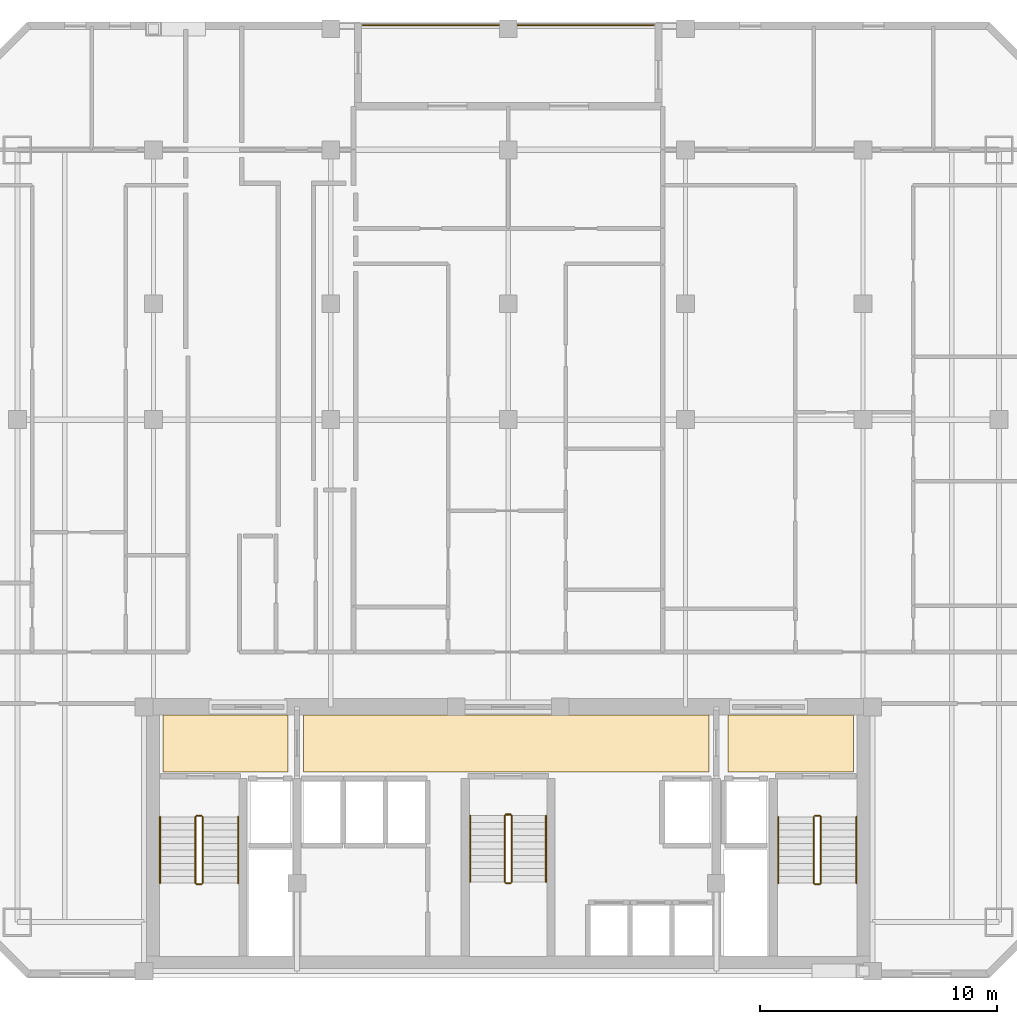
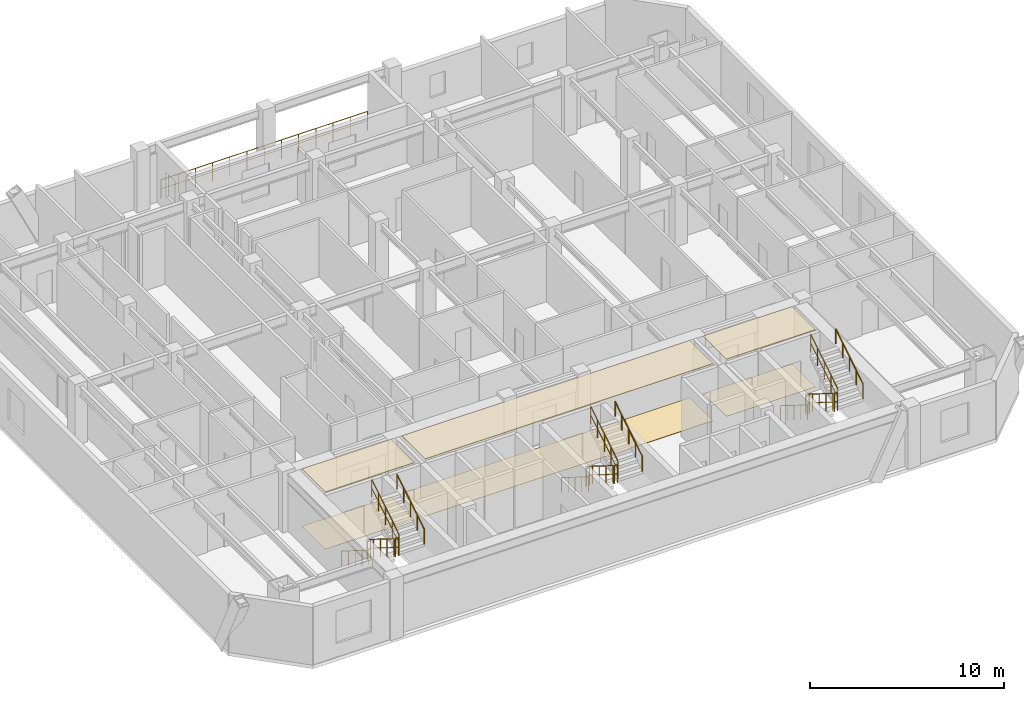
# One storey, part 8 of 8: 19 railings, 6 coverings.
"""IFC4 building model written with IfcOpenShell, lengths in metres."""

from ifc_helpers import new_model, si_unit, direction, frame, origin, origin_2d, place, context, subcontext, project, spatial, polyline, circle, outline, extrude, material, layer, layer_set, type_object, element, save


model = new_model("IFC4")

# Units and contexts
model_context = context("Model", 3, precision=1e-05, world=origin(), true_north=direction((0.0, 1.0)))
body_context = subcontext(model_context, "Body", "Model", "MODEL_VIEW")
ifc_project = project(units=[si_unit("LENGTHUNIT", "METRE"), si_unit("AREAUNIT", "SQUARE_METRE"), si_unit("VOLUMEUNIT", "CUBIC_METRE"), si_unit("PLANEANGLEUNIT", "RADIAN"), si_unit("MASSUNIT", "GRAM", prefix="KILO")], contexts=[model_context])

# Site, building, storey
site_placement = place(None, origin())
site = spatial("IfcSite", under=ifc_project, at=site_placement, CompositionType="ELEMENT")
building_placement = place(site_placement, origin())
building = spatial("IfcBuilding", under=site, at=building_placement, Name="Ventersveld Concourse Tower", CompositionType="ELEMENT")
storey_placement = place(building_placement, frame((0.0, 0.0, 183.699951171875)))
storey = spatial("IfcBuildingStorey", under=building, at=storey_placement, Name="L45", CompositionType="ELEMENT", Elevation=183.699951171875)

# Coverings
ifc_material_1 = material(Name="Mineral-fibre acoustic ceiling tile", Category="gypsum")
ifc_layer_1 = layer(ifc_material_1, 0.0400390625)
ifc_layer_set_1 = layer_set([ifc_layer_1], Name="Mineral-fibre acoustic ceiling tile")
covering_type_1 = type_object("IfcCoveringType", Name="COV-CEIL-ACOUSTIC", PredefinedType="CEILING", material=ifc_layer_set_1)
covering_1_placement = place(storey_placement, frame((0.0, 0.0, 3.590087890625)))
element("IfcCovering", 1, at=covering_1_placement, inside=storey, type_object=covering_type_1, Name="L45 North Lift Lobby Acoustic Ceiling", PredefinedType="CEILING", context=body_context, shape_type="SweptSolid", body=[
    extrude(outline(polyline([(20.10009765625, 8.699951171875), (37.25, 8.699951171875), (37.25, 11.10009765625), (20.10009765625, 11.10009765625), (20.10009765625, 8.699951171875)])), origin(), (0.0, 0.0, 1.0), 0.0400390625),
])
covering_2_placement = place(storey_placement, frame((0.0, 0.0, 3.590087890625)))
element("IfcCovering", 2, at=covering_2_placement, inside=storey, type_object=covering_type_1, Name="L45 West Firefighting Lobby Acoustic Ceiling", PredefinedType="CEILING", context=body_context, shape_type="SweptSolid", body=[
    extrude(outline(polyline([(14.14990234375, 8.699951171875), (19.449951171875, 8.699951171875), (19.449951171875, 11.10009765625), (14.14990234375, 11.10009765625), (14.14990234375, 8.699951171875)])), origin(), (0.0, 0.0, 1.0), 0.0400390625),
])
covering_3_placement = place(storey_placement, frame((0.0, 0.0, 3.590087890625)))
element("IfcCovering", 3, at=covering_3_placement, inside=storey, type_object=covering_type_1, Name="L45 East Firefighting Lobby Acoustic Ceiling", PredefinedType="CEILING", context=body_context, shape_type="SweptSolid", body=[
    extrude(outline(polyline([(38.050048828125, 8.699951171875), (43.35009765625, 8.699951171875), (43.35009765625, 11.10009765625), (38.050048828125, 11.10009765625), (38.050048828125, 8.699951171875)])), origin(), (0.0, 0.0, 1.0), 0.0400390625),
])
ifc_material_2 = material(Name="Polished Highveld granite terrazzo", Category="masonry")
ifc_layer_2 = layer(ifc_material_2, 0.02001953125)
ifc_layer_set_2 = layer_set([ifc_layer_2], Name="Polished Highveld granite terrazzo")
covering_type_2 = type_object("IfcCoveringType", Name="COV-FLOOR-TERRAZZO", PredefinedType="FLOORING", material=ifc_layer_set_2)
covering_4_placement = place(storey_placement, origin())
element("IfcCovering", 4, at=covering_4_placement, inside=storey, type_object=covering_type_2, Name="L45 North Lift Lobby Terrazzo Flooring", PredefinedType="FLOORING", context=body_context, shape_type="SweptSolid", body=[
    extrude(outline(polyline([(20.10009765625, 8.699951171875), (37.25, 8.699951171875), (37.25, 11.10009765625), (20.10009765625, 11.10009765625), (20.10009765625, 8.699951171875)])), origin(), (0.0, 0.0, 1.0), 0.02001953125),
])
covering_5_placement = place(storey_placement, origin())
element("IfcCovering", 5, at=covering_5_placement, inside=storey, type_object=covering_type_2, Name="L45 West Firefighting Lobby Terrazzo Flooring", PredefinedType="FLOORING", context=body_context, shape_type="SweptSolid", body=[
    extrude(outline(polyline([(14.14990234375, 8.699951171875), (19.449951171875, 8.699951171875), (19.449951171875, 11.10009765625), (14.14990234375, 11.10009765625), (14.14990234375, 8.699951171875)])), origin(), (0.0, 0.0, 1.0), 0.02001953125),
])
covering_6_placement = place(storey_placement, origin())
element("IfcCovering", 6, at=covering_6_placement, inside=storey, type_object=covering_type_2, Name="L45 East Firefighting Lobby Terrazzo Flooring", PredefinedType="FLOORING", context=body_context, shape_type="SweptSolid", body=[
    extrude(outline(polyline([(38.050048828125, 8.699951171875), (43.35009765625, 8.699951171875), (43.35009765625, 11.10009765625), (38.050048828125, 11.10009765625), (38.050048828125, 8.699951171875)])), origin(), (0.0, 0.0, 1.0), 0.02001953125),
])

# Railings
ifc_material_3 = material(Name="Brushed stainless steel 316", Category="steel")
railing_type_1 = type_object("IfcRailingType", Name="GD-BAL-115", PredefinedType="GUARDRAIL", material=ifc_material_3)
railing_1_placement = place(storey_placement, frame((15.530029296875, 6.800048828125, 0.175048828125)))
element("IfcRailing", 7, at=railing_1_placement, inside=storey, type_object=railing_type_1, Name="L45 ST-01 stair guard 1", PredefinedType="GUARDRAIL", context=body_context, shape_type="SweptSolid", body=[
    extrude(circle(Radius=0.02392578125, at=origin_2d()), frame((0.0, 0.0, 1.1259765625), z_axis=(0.0, -0.848002457836, 0.529992293815), x_axis=(1.0, 0.0, 0.0)), (0.0, 0.0, 1.0), 3.302001953125),
    extrude(circle(Radius=0.01611328125, at=origin_2d()), frame((0.0, 0.0, 0.574951171875), z_axis=(0.0, -0.848002457836, 0.529992293815), x_axis=(1.0, 0.0, 0.0)), (0.0, 0.0, 1.0), 3.302001953125),
    extrude(circle(Radius=0.02099609375, at=origin_2d()), origin(), (0.0, 0.0, 1.0), 1.101806640625),
    extrude(circle(Radius=0.02099609375, at=origin_2d()), frame((0.0, -0.699951171875, 0.4375)), (0.0, 0.0, 1.0), 1.101806640625),
    extrude(circle(Radius=0.02099609375, at=origin_2d()), frame((0.0, -1.39990234375, 0.875)), (0.0, 0.0, 1.0), 1.101806640625),
    extrude(circle(Radius=0.02099609375, at=origin_2d()), frame((0.0, -2.10009765625, 1.3125)), (0.0, 0.0, 1.0), 1.101806640625),
    extrude(circle(Radius=0.02099609375, at=origin_2d()), frame((0.0, -2.800048828125, 1.75)), (0.0, 0.0, 1.0), 1.101806640625),
])
railing_2_placement = place(storey_placement, frame((15.580078125, 3.949951171875, 1.925048828125)))
element("IfcRailing", 8, at=railing_2_placement, inside=storey, type_object=railing_type_1, Name="L45 ST-01 stair guard 2", PredefinedType="GUARDRAIL", context=body_context, shape_type="SweptSolid", body=[
    extrude(circle(Radius=0.02392578125, at=origin_2d()), frame((0.0, 0.0, 1.1259765625), z_axis=(1.0, 0.0, 0.0), x_axis=(0.0, 1.0, 0.0)), (0.0, 0.0, 1.0), 0.199951171875),
    extrude(circle(Radius=0.01611328125, at=origin_2d()), frame((0.0, 0.0, 0.574951171875), z_axis=(1.0, 0.0, 0.0), x_axis=(0.0, 1.0, 0.0)), (0.0, 0.0, 1.0), 0.199951171875),
    extrude(circle(Radius=0.02099609375, at=origin_2d()), origin(), (0.0, 0.0, 1.0), 1.101806640625),
    extrude(circle(Radius=0.02099609375, at=origin_2d()), frame((0.199951171875, 0.0, 0.0)), (0.0, 0.0, 1.0), 1.101806640625),
])
railing_3_placement = place(storey_placement, frame((15.830078125, 4.0, 2.10009765625)))
element("IfcRailing", 9, at=railing_3_placement, inside=storey, type_object=railing_type_1, Name="L45 ST-01 stair guard 3", PredefinedType="GUARDRAIL", context=body_context, shape_type="SweptSolid", body=[
    extrude(circle(Radius=0.02392578125, at=origin_2d()), frame((0.0, 0.0, 1.1259765625), z_axis=(0.0, 0.848002457836, 0.529992293815), x_axis=(-1.0, 0.0, 0.0)), (0.0, 0.0, 1.0), 3.302001953125),
    extrude(circle(Radius=0.01611328125, at=origin_2d()), frame((0.0, 0.0, 0.574951171875), z_axis=(0.0, 0.848002457836, 0.529992293815), x_axis=(-1.0, 0.0, 0.0)), (0.0, 0.0, 1.0), 3.302001953125),
    extrude(circle(Radius=0.02099609375, at=origin_2d()), origin(), (0.0, 0.0, 1.0), 1.101806640625),
    extrude(circle(Radius=0.02099609375, at=origin_2d()), frame((0.0, 0.699951171875, 0.4375)), (0.0, 0.0, 1.0), 1.101806640625),
    extrude(circle(Radius=0.02099609375, at=origin_2d()), frame((0.0, 1.39990234375, 0.875)), (0.0, 0.0, 1.0), 1.101806640625),
    extrude(circle(Radius=0.02099609375, at=origin_2d()), frame((0.0, 2.10009765625, 1.3125)), (0.0, 0.0, 1.0), 1.101806640625),
    extrude(circle(Radius=0.02099609375, at=origin_2d()), frame((0.0, 2.800048828125, 1.75)), (0.0, 0.0, 1.0), 1.101806640625),
])
railing_4_placement = place(storey_placement, frame((15.580078125, 6.85009765625, 0.0)))
element("IfcRailing", 10, at=railing_4_placement, inside=storey, type_object=railing_type_1, Name="L45 ST-01 stair guard 4", PredefinedType="GUARDRAIL", context=body_context, shape_type="SweptSolid", body=[
    extrude(circle(Radius=0.02392578125, at=origin_2d()), frame((0.0, 0.0, 1.1259765625), z_axis=(1.0, 0.0, 0.0), x_axis=(0.0, 1.0, 0.0)), (0.0, 0.0, 1.0), 0.199951171875),
    extrude(circle(Radius=0.01611328125, at=origin_2d()), frame((0.0, 0.0, 0.574951171875), z_axis=(1.0, 0.0, 0.0), x_axis=(0.0, 1.0, 0.0)), (0.0, 0.0, 1.0), 0.199951171875),
    extrude(circle(Radius=0.02099609375, at=origin_2d()), origin(), (0.0, 0.0, 1.0), 1.101806640625),
    extrude(circle(Radius=0.02099609375, at=origin_2d()), frame((0.199951171875, 0.0, 0.0)), (0.0, 0.0, 1.0), 1.101806640625),
])
railing_5_placement = place(storey_placement, frame((41.669921875, 6.800048828125, 0.175048828125)))
element("IfcRailing", 11, at=railing_5_placement, inside=storey, type_object=railing_type_1, Name="L45 ST-02 stair guard 1", PredefinedType="GUARDRAIL", context=body_context, shape_type="SweptSolid", body=[
    extrude(circle(Radius=0.02392578125, at=origin_2d()), frame((0.0, 0.0, 1.1259765625), z_axis=(0.0, -0.848002457836, 0.529992293815), x_axis=(1.0, 0.0, 0.0)), (0.0, 0.0, 1.0), 3.302001953125),
    extrude(circle(Radius=0.01611328125, at=origin_2d()), frame((0.0, 0.0, 0.574951171875), z_axis=(0.0, -0.848002457836, 0.529992293815), x_axis=(1.0, 0.0, 0.0)), (0.0, 0.0, 1.0), 3.302001953125),
    extrude(circle(Radius=0.02099609375, at=origin_2d()), origin(), (0.0, 0.0, 1.0), 1.101806640625),
    extrude(circle(Radius=0.02099609375, at=origin_2d()), frame((0.0, -0.699951171875, 0.4375)), (0.0, 0.0, 1.0), 1.101806640625),
    extrude(circle(Radius=0.02099609375, at=origin_2d()), frame((0.0, -1.39990234375, 0.875)), (0.0, 0.0, 1.0), 1.101806640625),
    extrude(circle(Radius=0.02099609375, at=origin_2d()), frame((0.0, -2.10009765625, 1.3125)), (0.0, 0.0, 1.0), 1.101806640625),
    extrude(circle(Radius=0.02099609375, at=origin_2d()), frame((0.0, -2.800048828125, 1.75)), (0.0, 0.0, 1.0), 1.101806640625),
])
railing_6_placement = place(storey_placement, frame((41.719970703125, 3.949951171875, 1.925048828125)))
element("IfcRailing", 12, at=railing_6_placement, inside=storey, type_object=railing_type_1, Name="L45 ST-02 stair guard 2", PredefinedType="GUARDRAIL", context=body_context, shape_type="SweptSolid", body=[
    extrude(circle(Radius=0.02392578125, at=origin_2d()), frame((0.0, 0.0, 1.1259765625), z_axis=(1.0, 0.0, 0.0), x_axis=(0.0, 1.0, 0.0)), (0.0, 0.0, 1.0), 0.199951171875),
    extrude(circle(Radius=0.01611328125, at=origin_2d()), frame((0.0, 0.0, 0.574951171875), z_axis=(1.0, 0.0, 0.0), x_axis=(0.0, 1.0, 0.0)), (0.0, 0.0, 1.0), 0.199951171875),
    extrude(circle(Radius=0.02099609375, at=origin_2d()), origin(), (0.0, 0.0, 1.0), 1.101806640625),
    extrude(circle(Radius=0.02099609375, at=origin_2d()), frame((0.199951171875, 0.0, 0.0)), (0.0, 0.0, 1.0), 1.101806640625),
])
railing_7_placement = place(storey_placement, frame((41.969970703125, 4.0, 2.10009765625)))
element("IfcRailing", 13, at=railing_7_placement, inside=storey, type_object=railing_type_1, Name="L45 ST-02 stair guard 3", PredefinedType="GUARDRAIL", context=body_context, shape_type="SweptSolid", body=[
    extrude(circle(Radius=0.02392578125, at=origin_2d()), frame((0.0, 0.0, 1.1259765625), z_axis=(0.0, 0.848002457836, 0.529992293815), x_axis=(-1.0, 0.0, 0.0)), (0.0, 0.0, 1.0), 3.302001953125),
    extrude(circle(Radius=0.01611328125, at=origin_2d()), frame((0.0, 0.0, 0.574951171875), z_axis=(0.0, 0.848002457836, 0.529992293815), x_axis=(-1.0, 0.0, 0.0)), (0.0, 0.0, 1.0), 3.302001953125),
    extrude(circle(Radius=0.02099609375, at=origin_2d()), origin(), (0.0, 0.0, 1.0), 1.101806640625),
    extrude(circle(Radius=0.02099609375, at=origin_2d()), frame((0.0, 0.699951171875, 0.4375)), (0.0, 0.0, 1.0), 1.101806640625),
    extrude(circle(Radius=0.02099609375, at=origin_2d()), frame((0.0, 1.39990234375, 0.875)), (0.0, 0.0, 1.0), 1.101806640625),
    extrude(circle(Radius=0.02099609375, at=origin_2d()), frame((0.0, 2.10009765625, 1.3125)), (0.0, 0.0, 1.0), 1.101806640625),
    extrude(circle(Radius=0.02099609375, at=origin_2d()), frame((0.0, 2.800048828125, 1.75)), (0.0, 0.0, 1.0), 1.101806640625),
])
railing_8_placement = place(storey_placement, frame((41.719970703125, 6.85009765625, 0.0)))
element("IfcRailing", 14, at=railing_8_placement, inside=storey, type_object=railing_type_1, Name="L45 ST-02 stair guard 4", PredefinedType="GUARDRAIL", context=body_context, shape_type="SweptSolid", body=[
    extrude(circle(Radius=0.02392578125, at=origin_2d()), frame((0.0, 0.0, 1.1259765625), z_axis=(1.0, 0.0, 0.0), x_axis=(0.0, 1.0, 0.0)), (0.0, 0.0, 1.0), 0.199951171875),
    extrude(circle(Radius=0.01611328125, at=origin_2d()), frame((0.0, 0.0, 0.574951171875), z_axis=(1.0, 0.0, 0.0), x_axis=(0.0, 1.0, 0.0)), (0.0, 0.0, 1.0), 0.199951171875),
    extrude(circle(Radius=0.02099609375, at=origin_2d()), origin(), (0.0, 0.0, 1.0), 1.101806640625),
    extrude(circle(Radius=0.02099609375, at=origin_2d()), frame((0.199951171875, 0.0, 0.0)), (0.0, 0.0, 1.0), 1.101806640625),
])
railing_9_placement = place(storey_placement, frame((28.60009765625, 6.85009765625, 0.175048828125)))
element("IfcRailing", 15, at=railing_9_placement, inside=storey, type_object=railing_type_1, Name="L45 ST-03 stair guard 1", PredefinedType="GUARDRAIL", context=body_context, shape_type="SweptSolid", body=[
    extrude(circle(Radius=0.02392578125, at=origin_2d()), frame((0.0, 0.0, 1.1259765625), z_axis=(0.0, -0.848002457836, 0.529992293815), x_axis=(1.0, 0.0, 0.0)), (0.0, 0.0, 1.0), 3.302001953125),
    extrude(circle(Radius=0.01611328125, at=origin_2d()), frame((0.0, 0.0, 0.574951171875), z_axis=(0.0, -0.848002457836, 0.529992293815), x_axis=(1.0, 0.0, 0.0)), (0.0, 0.0, 1.0), 3.302001953125),
    extrude(circle(Radius=0.02099609375, at=origin_2d()), origin(), (0.0, 0.0, 1.0), 1.101806640625),
    extrude(circle(Radius=0.02099609375, at=origin_2d()), frame((0.0, -0.699951171875, 0.4375)), (0.0, 0.0, 1.0), 1.101806640625),
    extrude(circle(Radius=0.02099609375, at=origin_2d()), frame((0.0, -1.39990234375, 0.875)), (0.0, 0.0, 1.0), 1.101806640625),
    extrude(circle(Radius=0.02099609375, at=origin_2d()), frame((0.0, -2.10009765625, 1.3125)), (0.0, 0.0, 1.0), 1.101806640625),
    extrude(circle(Radius=0.02099609375, at=origin_2d()), frame((0.0, -2.800048828125, 1.75)), (0.0, 0.0, 1.0), 1.101806640625),
])
railing_10_placement = place(storey_placement, frame((28.64990234375, 4.0, 1.925048828125)))
element("IfcRailing", 16, at=railing_10_placement, inside=storey, type_object=railing_type_1, Name="L45 ST-03 stair guard 2", PredefinedType="GUARDRAIL", context=body_context, shape_type="SweptSolid", body=[
    extrude(circle(Radius=0.02392578125, at=origin_2d()), frame((0.0, 0.0, 1.1259765625), z_axis=(1.0, 0.0, 0.0), x_axis=(0.0, 1.0, 0.0)), (0.0, 0.0, 1.0), 0.2001953125),
    extrude(circle(Radius=0.01611328125, at=origin_2d()), frame((0.0, 0.0, 0.574951171875), z_axis=(1.0, 0.0, 0.0), x_axis=(0.0, 1.0, 0.0)), (0.0, 0.0, 1.0), 0.2001953125),
    extrude(circle(Radius=0.02099609375, at=origin_2d()), origin(), (0.0, 0.0, 1.0), 1.101806640625),
    extrude(circle(Radius=0.02099609375, at=origin_2d()), frame((0.2001953125, 0.0, 0.0)), (0.0, 0.0, 1.0), 1.101806640625),
])
railing_11_placement = place(storey_placement, frame((28.89990234375, 4.050048828125, 2.10009765625)))
element("IfcRailing", 17, at=railing_11_placement, inside=storey, type_object=railing_type_1, Name="L45 ST-03 stair guard 3", PredefinedType="GUARDRAIL", context=body_context, shape_type="SweptSolid", body=[
    extrude(circle(Radius=0.02392578125, at=origin_2d()), frame((0.0, 0.0, 1.1259765625), z_axis=(0.0, 0.848002457836, 0.529992293815), x_axis=(-1.0, 0.0, 0.0)), (0.0, 0.0, 1.0), 3.302001953125),
    extrude(circle(Radius=0.01611328125, at=origin_2d()), frame((0.0, 0.0, 0.574951171875), z_axis=(0.0, 0.848002457836, 0.529992293815), x_axis=(-1.0, 0.0, 0.0)), (0.0, 0.0, 1.0), 3.302001953125),
    extrude(circle(Radius=0.02099609375, at=origin_2d()), origin(), (0.0, 0.0, 1.0), 1.101806640625),
    extrude(circle(Radius=0.02099609375, at=origin_2d()), frame((0.0, 0.699951171875, 0.4375)), (0.0, 0.0, 1.0), 1.101806640625),
    extrude(circle(Radius=0.02099609375, at=origin_2d()), frame((0.0, 1.39990234375, 0.875)), (0.0, 0.0, 1.0), 1.101806640625),
    extrude(circle(Radius=0.02099609375, at=origin_2d()), frame((0.0, 2.10009765625, 1.3125)), (0.0, 0.0, 1.0), 1.101806640625),
    extrude(circle(Radius=0.02099609375, at=origin_2d()), frame((0.0, 2.800048828125, 1.75)), (0.0, 0.0, 1.0), 1.101806640625),
])
railing_12_placement = place(storey_placement, frame((28.64990234375, 6.89990234375, 0.0)))
element("IfcRailing", 18, at=railing_12_placement, inside=storey, type_object=railing_type_1, Name="L45 ST-03 stair guard 4", PredefinedType="GUARDRAIL", context=body_context, shape_type="SweptSolid", body=[
    extrude(circle(Radius=0.02392578125, at=origin_2d()), frame((0.0, 0.0, 1.1259765625), z_axis=(1.0, 0.0, 0.0), x_axis=(0.0, 1.0, 0.0)), (0.0, 0.0, 1.0), 0.2001953125),
    extrude(circle(Radius=0.01611328125, at=origin_2d()), frame((0.0, 0.0, 0.574951171875), z_axis=(1.0, 0.0, 0.0), x_axis=(0.0, 1.0, 0.0)), (0.0, 0.0, 1.0), 0.2001953125),
    extrude(circle(Radius=0.02099609375, at=origin_2d()), origin(), (0.0, 0.0, 1.0), 1.101806640625),
    extrude(circle(Radius=0.02099609375, at=origin_2d()), frame((0.2001953125, 0.0, 0.0)), (0.0, 0.0, 1.0), 1.101806640625),
])
railing_type_2 = type_object("IfcRailingType", Name="GD-TER-120", PredefinedType="GUARDRAIL", material=ifc_material_3)
railing_13_placement = place(storey_placement, frame((22.60009765625, 40.280029296875, 0.0)))
element("IfcRailing", 19, at=railing_13_placement, inside=storey, type_object=railing_type_2, Name="L45 Outdoor Terrace Guardrail NOTCH-N", PredefinedType="GUARDRAIL", context=body_context, shape_type="SweptSolid", body=[
    extrude(circle(Radius=0.02392578125, at=origin_2d()), frame((0.0, 0.0, 1.17578125), z_axis=(1.0, 0.0, 0.0), x_axis=(0.0, 1.0, 0.0)), (0.0, 0.0, 1.0), 12.2998046875),
    extrude(circle(Radius=0.01611328125, at=origin_2d()), frame((0.0, 0.0, 0.60009765625), z_axis=(1.0, 0.0, 0.0), x_axis=(0.0, 1.0, 0.0)), (0.0, 0.0, 1.0), 12.2998046875),
    extrude(circle(Radius=0.02099609375, at=origin_2d()), origin(), (0.0, 0.0, 1.0), 1.15185546875),
    extrude(circle(Radius=0.02099609375, at=origin_2d()), frame((1.02490234375, 0.0, 0.0)), (0.0, 0.0, 1.0), 1.15185546875),
    extrude(circle(Radius=0.02099609375, at=origin_2d()), frame((2.050048828125, 0.0, 0.0)), (0.0, 0.0, 1.0), 1.15185546875),
    extrude(circle(Radius=0.02099609375, at=origin_2d()), frame((3.074951171875, 0.0, 0.0)), (0.0, 0.0, 1.0), 1.15185546875),
    extrude(circle(Radius=0.02099609375, at=origin_2d()), frame((4.099853515625, 0.0, 0.0)), (0.0, 0.0, 1.0), 1.15185546875),
    extrude(circle(Radius=0.02099609375, at=origin_2d()), frame((5.125, 0.0, 0.0)), (0.0, 0.0, 1.0), 1.15185546875),
    extrude(circle(Radius=0.02099609375, at=origin_2d()), frame((6.14990234375, 0.0, 0.0)), (0.0, 0.0, 1.0), 1.15185546875),
    extrude(circle(Radius=0.02099609375, at=origin_2d()), frame((7.1748046875, 0.0, 0.0)), (0.0, 0.0, 1.0), 1.15185546875),
    extrude(circle(Radius=0.02099609375, at=origin_2d()), frame((8.199951171875, 0.0, 0.0)), (0.0, 0.0, 1.0), 1.15185546875),
    extrude(circle(Radius=0.02099609375, at=origin_2d()), frame((9.224853515625, 0.0, 0.0)), (0.0, 0.0, 1.0), 1.15185546875),
    extrude(circle(Radius=0.02099609375, at=origin_2d()), frame((10.249755859375, 0.0, 0.0)), (0.0, 0.0, 1.0), 1.15185546875),
    extrude(circle(Radius=0.02099609375, at=origin_2d()), frame((11.27490234375, 0.0, 0.0)), (0.0, 0.0, 1.0), 1.15185546875),
    extrude(circle(Radius=0.02099609375, at=origin_2d()), frame((12.2998046875, 0.0, 0.0)), (0.0, 0.0, 1.0), 1.15185546875),
])
railing_type_3 = type_object("IfcRailingType", Name="HR-RMP-095", PredefinedType="HANDRAIL", material=ifc_material_3)
railing_14_placement = place(storey_placement, frame((14.030029296875, 6.800048828125, 0.175048828125)))
element("IfcRailing", 20, at=railing_14_placement, inside=storey, type_object=railing_type_3, Name="L45 ST-01 stair handrail 1", PredefinedType="HANDRAIL", context=body_context, shape_type="SweptSolid", body=[
    extrude(circle(Radius=0.02392578125, at=origin_2d()), frame((0.0, 0.0, 0.92578125), z_axis=(0.0, -0.848002457836, 0.529992293815), x_axis=(1.0, 0.0, 0.0)), (0.0, 0.0, 1.0), 3.302001953125),
    extrude(circle(Radius=0.02099609375, at=origin_2d()), origin(), (0.0, 0.0, 1.0), 0.90185546875),
    extrude(circle(Radius=0.02099609375, at=origin_2d()), frame((0.0, -0.699951171875, 0.4375)), (0.0, 0.0, 1.0), 0.90185546875),
    extrude(circle(Radius=0.02099609375, at=origin_2d()), frame((0.0, -1.39990234375, 0.875)), (0.0, 0.0, 1.0), 0.90185546875),
    extrude(circle(Radius=0.02099609375, at=origin_2d()), frame((0.0, -2.10009765625, 1.3125)), (0.0, 0.0, 1.0), 0.90185546875),
    extrude(circle(Radius=0.02099609375, at=origin_2d()), frame((0.0, -2.800048828125, 1.75)), (0.0, 0.0, 1.0), 0.90185546875),
])
railing_15_placement = place(storey_placement, frame((17.330078125, 4.0, 2.10009765625)))
element("IfcRailing", 21, at=railing_15_placement, inside=storey, type_object=railing_type_3, Name="L45 ST-01 stair handrail 2", PredefinedType="HANDRAIL", context=body_context, shape_type="SweptSolid", body=[
    extrude(circle(Radius=0.02392578125, at=origin_2d()), frame((0.0, 0.0, 0.92578125), z_axis=(0.0, 0.848002457836, 0.529992293815), x_axis=(-1.0, 0.0, 0.0)), (0.0, 0.0, 1.0), 3.302001953125),
    extrude(circle(Radius=0.02099609375, at=origin_2d()), origin(), (0.0, 0.0, 1.0), 0.90185546875),
    extrude(circle(Radius=0.02099609375, at=origin_2d()), frame((0.0, 0.699951171875, 0.4375)), (0.0, 0.0, 1.0), 0.90185546875),
    extrude(circle(Radius=0.02099609375, at=origin_2d()), frame((0.0, 1.39990234375, 0.875)), (0.0, 0.0, 1.0), 0.90185546875),
    extrude(circle(Radius=0.02099609375, at=origin_2d()), frame((0.0, 2.10009765625, 1.3125)), (0.0, 0.0, 1.0), 0.90185546875),
    extrude(circle(Radius=0.02099609375, at=origin_2d()), frame((0.0, 2.800048828125, 1.75)), (0.0, 0.0, 1.0), 0.90185546875),
])
railing_16_placement = place(storey_placement, frame((40.169921875, 6.800048828125, 0.175048828125)))
element("IfcRailing", 22, at=railing_16_placement, inside=storey, type_object=railing_type_3, Name="L45 ST-02 stair handrail 1", PredefinedType="HANDRAIL", context=body_context, shape_type="SweptSolid", body=[
    extrude(circle(Radius=0.02392578125, at=origin_2d()), frame((0.0, 0.0, 0.92578125), z_axis=(0.0, -0.848002457836, 0.529992293815), x_axis=(1.0, 0.0, 0.0)), (0.0, 0.0, 1.0), 3.302001953125),
    extrude(circle(Radius=0.02099609375, at=origin_2d()), origin(), (0.0, 0.0, 1.0), 0.90185546875),
    extrude(circle(Radius=0.02099609375, at=origin_2d()), frame((0.0, -0.699951171875, 0.4375)), (0.0, 0.0, 1.0), 0.90185546875),
    extrude(circle(Radius=0.02099609375, at=origin_2d()), frame((0.0, -1.39990234375, 0.875)), (0.0, 0.0, 1.0), 0.90185546875),
    extrude(circle(Radius=0.02099609375, at=origin_2d()), frame((0.0, -2.10009765625, 1.3125)), (0.0, 0.0, 1.0), 0.90185546875),
    extrude(circle(Radius=0.02099609375, at=origin_2d()), frame((0.0, -2.800048828125, 1.75)), (0.0, 0.0, 1.0), 0.90185546875),
])
railing_17_placement = place(storey_placement, frame((43.469970703125, 4.0, 2.10009765625)))
element("IfcRailing", 23, at=railing_17_placement, inside=storey, type_object=railing_type_3, Name="L45 ST-02 stair handrail 2", PredefinedType="HANDRAIL", context=body_context, shape_type="SweptSolid", body=[
    extrude(circle(Radius=0.02392578125, at=origin_2d()), frame((0.0, 0.0, 0.92578125), z_axis=(0.0, 0.848002457836, 0.529992293815), x_axis=(-1.0, 0.0, 0.0)), (0.0, 0.0, 1.0), 3.302001953125),
    extrude(circle(Radius=0.02099609375, at=origin_2d()), origin(), (0.0, 0.0, 1.0), 0.90185546875),
    extrude(circle(Radius=0.02099609375, at=origin_2d()), frame((0.0, 0.699951171875, 0.4375)), (0.0, 0.0, 1.0), 0.90185546875),
    extrude(circle(Radius=0.02099609375, at=origin_2d()), frame((0.0, 1.39990234375, 0.875)), (0.0, 0.0, 1.0), 0.90185546875),
    extrude(circle(Radius=0.02099609375, at=origin_2d()), frame((0.0, 2.10009765625, 1.3125)), (0.0, 0.0, 1.0), 0.90185546875),
    extrude(circle(Radius=0.02099609375, at=origin_2d()), frame((0.0, 2.800048828125, 1.75)), (0.0, 0.0, 1.0), 0.90185546875),
])
railing_18_placement = place(storey_placement, frame((27.14990234375, 6.85009765625, 0.175048828125)))
element("IfcRailing", 24, at=railing_18_placement, inside=storey, type_object=railing_type_3, Name="L45 ST-03 stair handrail 1", PredefinedType="HANDRAIL", context=body_context, shape_type="SweptSolid", body=[
    extrude(circle(Radius=0.02392578125, at=origin_2d()), frame((0.0, 0.0, 0.92578125), z_axis=(0.0, -0.848002457836, 0.529992293815), x_axis=(1.0, 0.0, 0.0)), (0.0, 0.0, 1.0), 3.302001953125),
    extrude(circle(Radius=0.02099609375, at=origin_2d()), origin(), (0.0, 0.0, 1.0), 0.90185546875),
    extrude(circle(Radius=0.02099609375, at=origin_2d()), frame((0.0, -0.699951171875, 0.4375)), (0.0, 0.0, 1.0), 0.90185546875),
    extrude(circle(Radius=0.02099609375, at=origin_2d()), frame((0.0, -1.39990234375, 0.875)), (0.0, 0.0, 1.0), 0.90185546875),
    extrude(circle(Radius=0.02099609375, at=origin_2d()), frame((0.0, -2.10009765625, 1.3125)), (0.0, 0.0, 1.0), 0.90185546875),
    extrude(circle(Radius=0.02099609375, at=origin_2d()), frame((0.0, -2.800048828125, 1.75)), (0.0, 0.0, 1.0), 0.90185546875),
])
railing_19_placement = place(storey_placement, frame((30.35009765625, 4.050048828125, 2.10009765625)))
element("IfcRailing", 25, at=railing_19_placement, inside=storey, type_object=railing_type_3, Name="L45 ST-03 stair handrail 2", PredefinedType="HANDRAIL", context=body_context, shape_type="SweptSolid", body=[
    extrude(circle(Radius=0.02392578125, at=origin_2d()), frame((0.0, 0.0, 0.92578125), z_axis=(0.0, 0.848002457836, 0.529992293815), x_axis=(-1.0, 0.0, 0.0)), (0.0, 0.0, 1.0), 3.302001953125),
    extrude(circle(Radius=0.02099609375, at=origin_2d()), origin(), (0.0, 0.0, 1.0), 0.90185546875),
    extrude(circle(Radius=0.02099609375, at=origin_2d()), frame((0.0, 0.699951171875, 0.4375)), (0.0, 0.0, 1.0), 0.90185546875),
    extrude(circle(Radius=0.02099609375, at=origin_2d()), frame((0.0, 1.39990234375, 0.875)), (0.0, 0.0, 1.0), 0.90185546875),
    extrude(circle(Radius=0.02099609375, at=origin_2d()), frame((0.0, 2.10009765625, 1.3125)), (0.0, 0.0, 1.0), 0.90185546875),
    extrude(circle(Radius=0.02099609375, at=origin_2d()), frame((0.0, 2.800048828125, 1.75)), (0.0, 0.0, 1.0), 0.90185546875),
])

save(model, "model.ifc")
